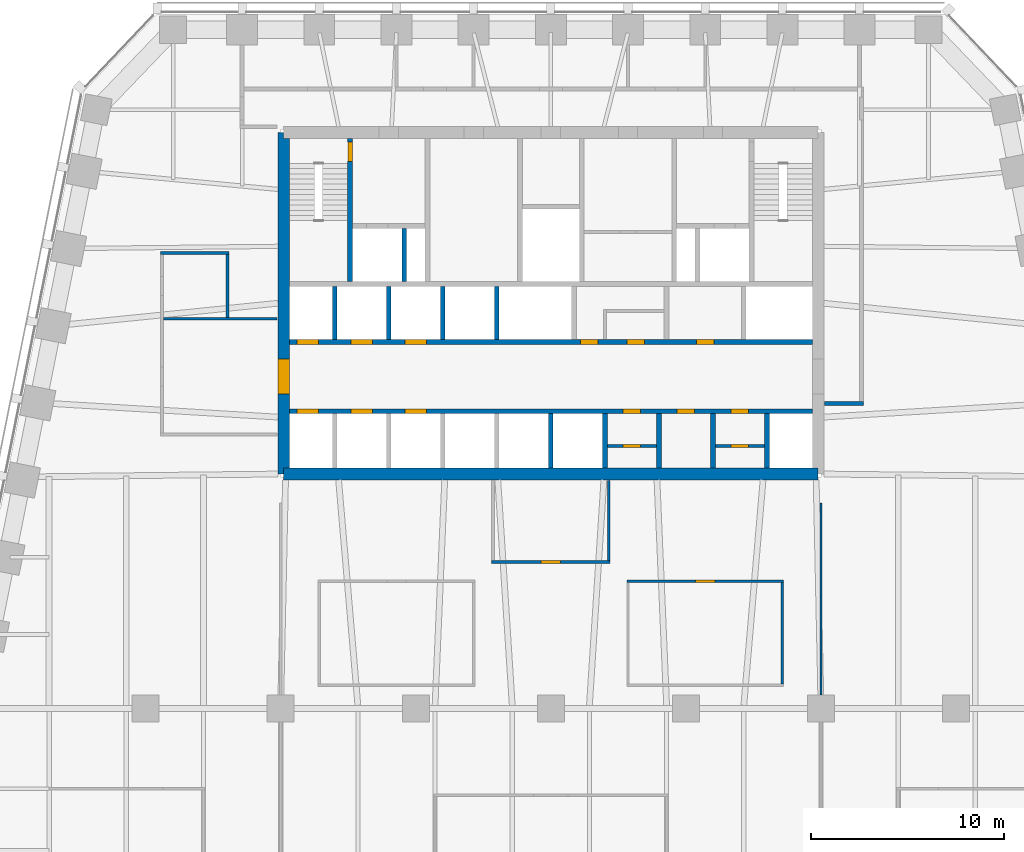
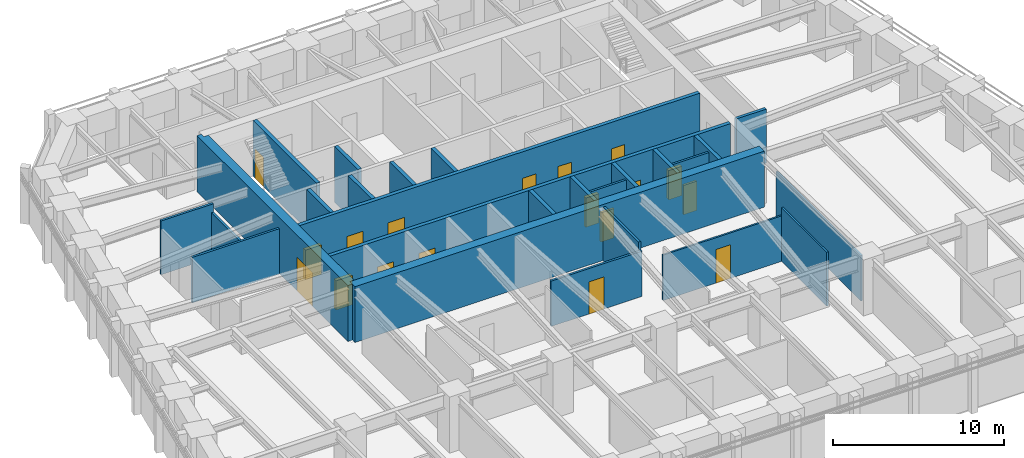
# One storey, part 6 of 10: 26 walls, 18 doors, 18 openings.
"""IFC4 building model written with IfcOpenShell, lengths in metres."""

from ifc_helpers import new_model, si_unit, direction, frame, frame_2d, origin, place, context, subcontext, project, spatial, polyline, rectangle, outline, extrude, material, layer, layer_set, type_object, element, fill, save


model = new_model("IFC4")

# Units and contexts
model_context = context("Model", 3, precision=1e-05, world=origin(), true_north=direction((0.0, 1.0)))
body_context = subcontext(model_context, "Body", "Model", "MODEL_VIEW")
ifc_project = project(units=[si_unit("LENGTHUNIT", "METRE"), si_unit("AREAUNIT", "SQUARE_METRE"), si_unit("VOLUMEUNIT", "CUBIC_METRE"), si_unit("PLANEANGLEUNIT", "RADIAN"), si_unit("MASSUNIT", "GRAM", prefix="KILO")], contexts=[model_context])

# Site, building, storey
site_placement = place(None, origin())
site = spatial("IfcSite", under=ifc_project, at=site_placement, CompositionType="ELEMENT")
building_placement = place(site_placement, origin())
building = spatial("IfcBuilding", under=site, at=building_placement, Name="Isbrekke Arena Tower", CompositionType="ELEMENT")
storey_placement = place(building_placement, frame((0.0, 0.0, 234.0)))
storey = spatial("IfcBuildingStorey", under=building, at=storey_placement, Name="L54", CompositionType="ELEMENT", Elevation=234.0)

# Wall
ifc_material_1 = material(Name="Concrete B55 (C55/67)", Category="concrete")
ifc_layer_1 = layer(ifc_material_1, 0.60009765625)
ifc_layer_set_1 = layer_set([ifc_layer_1], Name="CW4 CORE WALL 600")
wall_type_1 = type_object("IfcWallType", Name="CW4 CORE WALL 600", PredefinedType="SHEAR", material=ifc_layer_set_1)
wall_1_placement = place(storey_placement, frame((-13.85009765625, 6.14990234375, 0.0), z_axis=(0.0, 0.0, 1.0), x_axis=(1.0, 0.0, 0.0)))
element("IfcWall", 1, at=wall_1_placement, inside=storey, type_object=wall_type_1, Name="Core wall S L54", PredefinedType="SHEAR", context=body_context, shape_type="SweptSolid", body=[
    extrude(rectangle(XDim=27.7001953125, YDim=0.60009765625, at=frame_2d((13.85009765625, 0.0))), origin(), (0.0, 0.0, 1.0), 4.0),
])

# Wall, opening, door
wall_2_placement = place(storey_placement, frame((-13.85009765625, 23.85009765625, 0.0), z_axis=(0.0, 0.0, 1.0), x_axis=(0.0, -1.0, 0.0)))
wall_2 = element("IfcWall", 2, at=wall_2_placement, inside=storey, type_object=wall_type_1, Name="Core wall W L54", PredefinedType="SHEAR", context=body_context, shape_type="SweptSolid", body=[
    extrude(outline(polyline([(0.0, -0.300048828125), (17.7001953125, -0.300048828125), (17.7001953125, 0.0), (17.400146484375, 0.0), (17.400146484375, 0.300048828125), (0.300048828125, 0.300048828125), (0.300048828125, 0.0), (0.0, 0.0), (0.0, -0.300048828125)])), origin(), (0.0, 0.0, 1.0), 4.0),
])
opening_1_placement = place(wall_2_placement, frame((11.75, 0.0, 0.0)))
opening_1 = element("IfcOpeningElement", 3, at=opening_1_placement, cuts=wall_2, Name="Opening D1", PredefinedType="OPENING", context=body_context, shape_type="SweptSolid", body=[
    extrude(rectangle(XDim=1.800048828125, YDim=2.39990234375, at=frame_2d((0.89990234375, 1.199951171875))), frame((0.0, 0.31494140625, 0.0), z_axis=(0.0, -1.0, 0.0), x_axis=(1.0, 0.0, 0.0)), (0.0, 0.0, 1.0), 0.6298828125),
])
ifc_material_2 = material(Name="Steel-framed glazed fire door", Category="steel")
door_type_1 = type_object("IfcDoorType", Name="D1 CORE LOBBY DOOR 1800 x 2400", OperationType="DOUBLE_DOOR_SINGLE_SWING", PredefinedType="DOOR", material=ifc_material_2)
door_1_placement = place(opening_1_placement, origin())
door_1 = element("IfcDoor", 4, at=door_1_placement, inside=storey, type_object=door_type_1, Name="D1 lift lobby door west L54", OperationType="DOUBLE_DOOR_SINGLE_SWING", OverallHeight=2.39990234375, OverallWidth=1.800048828125, PredefinedType="DOOR", context=body_context, shape_type="SweptSolid", body=[
    extrude(rectangle(XDim=1.800048828125, YDim=2.39990234375, at=frame_2d((0.89990234375, 1.199951171875))), frame((0.0, 0.2998046875, 0.0), z_axis=(0.0, -1.0, 0.0), x_axis=(1.0, 0.0, 0.0)), (0.0, 0.0, 1.0), 0.599609375),
])
fill(opening_1, door_1)

# Wall, openings, doors
ifc_material_3 = material(Name="Concrete B45 (C45/55)", Category="concrete")
ifc_layer_2 = layer(ifc_material_3, 0.25)
ifc_layer_set_2 = layer_set([ifc_layer_2], Name="CW6 SHAFT WALL 250")
wall_type_2 = type_object("IfcWallType", Name="CW6 SHAFT WALL 250", PredefinedType="SHEAR", material=ifc_layer_set_2)
wall_3_placement = place(storey_placement, frame((-13.550048828125, 9.39990234375, 0.0), z_axis=(0.0, 0.0, 1.0), x_axis=(1.0, 0.0, 0.0)))
wall_3 = element("IfcWall", 5, at=wall_3_placement, inside=storey, type_object=wall_type_2, Name="Core wall LS L54", PredefinedType="SHEAR", context=body_context, shape_type="SweptSolid", body=[
    extrude(rectangle(XDim=27.10009765625, YDim=0.25, at=frame_2d((13.550048828125, 0.0))), origin(), (0.0, 0.0, 1.0), 4.0),
])
opening_2_placement = place(wall_3_placement, frame((0.39990234375, 0.0, 0.0)))
opening_2 = element("IfcOpeningElement", 6, at=opening_2_placement, cuts=wall_3, Name="Opening LD1", PredefinedType="OPENING", context=body_context, shape_type="SweptSolid", body=[
    extrude(rectangle(XDim=1.10009765625, YDim=2.10009765625, at=frame_2d((0.550048828125, 1.050048828125))), frame((0.0, 0.139892578125, 0.0), z_axis=(0.0, -1.0, 0.0), x_axis=(1.0, 0.0, 0.0)), (0.0, 0.0, 1.0), 0.27978515625),
])
opening_3_placement = place(wall_3_placement, frame((3.199951171875, 0.0, 0.0)))
opening_3 = element("IfcOpeningElement", 7, at=opening_3_placement, cuts=wall_3, Name="Opening LD1", PredefinedType="OPENING", context=body_context, shape_type="SweptSolid", body=[
    extrude(rectangle(XDim=1.10009765625, YDim=2.10009765625, at=frame_2d((0.550048828125, 1.050048828125))), frame((0.0, 0.139892578125, 0.0), z_axis=(0.0, -1.0, 0.0), x_axis=(1.0, 0.0, 0.0)), (0.0, 0.0, 1.0), 0.27978515625),
])
opening_4_placement = place(wall_3_placement, frame((6.0, 0.0, 0.0)))
opening_4 = element("IfcOpeningElement", 8, at=opening_4_placement, cuts=wall_3, Name="Opening LD1", PredefinedType="OPENING", context=body_context, shape_type="SweptSolid", body=[
    extrude(rectangle(XDim=1.10009765625, YDim=2.10009765625, at=frame_2d((0.550048828125, 1.050048828125))), frame((0.0, 0.139892578125, 0.0), z_axis=(0.0, -1.0, 0.0), x_axis=(1.0, 0.0, 0.0)), (0.0, 0.0, 1.0), 0.27978515625),
])
opening_5_placement = place(wall_3_placement, frame((17.300048828125, 0.0, 0.0)))
opening_5 = element("IfcOpeningElement", 9, at=opening_5_placement, cuts=wall_3, Name="Opening D5", PredefinedType="OPENING", context=body_context, shape_type="SweptSolid", body=[
    extrude(rectangle(XDim=0.89990234375, YDim=2.10009765625, at=frame_2d((0.449951171875, 1.050048828125))), frame((0.0, 0.139892578125, 0.0), z_axis=(0.0, -1.0, 0.0), x_axis=(1.0, 0.0, 0.0)), (0.0, 0.0, 1.0), 0.27978515625),
])
opening_6_placement = place(wall_3_placement, frame((20.10009765625, 0.0, 0.0)))
opening_6 = element("IfcOpeningElement", 10, at=opening_6_placement, cuts=wall_3, Name="Opening D5", PredefinedType="OPENING", context=body_context, shape_type="SweptSolid", body=[
    extrude(rectangle(XDim=0.89990234375, YDim=2.10009765625, at=frame_2d((0.449951171875, 1.050048828125))), frame((0.0, 0.139892578125, 0.0), z_axis=(0.0, -1.0, 0.0), x_axis=(1.0, 0.0, 0.0)), (0.0, 0.0, 1.0), 0.27978515625),
])
opening_7_placement = place(wall_3_placement, frame((22.89990234375, 0.0, 0.0)))
opening_7 = element("IfcOpeningElement", 11, at=opening_7_placement, cuts=wall_3, Name="Opening D5", PredefinedType="OPENING", context=body_context, shape_type="SweptSolid", body=[
    extrude(rectangle(XDim=0.89990234375, YDim=2.10009765625, at=frame_2d((0.449951171875, 1.050048828125))), frame((0.0, 0.139892578125, 0.0), z_axis=(0.0, -1.0, 0.0), x_axis=(1.0, 0.0, 0.0)), (0.0, 0.0, 1.0), 0.27978515625),
])
ifc_material_4 = material(Name="Steel fire door", Category="steel")
door_type_2 = type_object("IfcDoorType", Name="D5 SERVICE DOOR 900 x 2100", OperationType="SINGLE_SWING_LEFT", PredefinedType="DOOR", material=ifc_material_4)
door_2_placement = place(opening_5_placement, origin())
door_2 = element("IfcDoor", 12, at=door_2_placement, inside=storey, type_object=door_type_2, Name="D5 tea point door L54", OperationType="SINGLE_SWING_LEFT", OverallHeight=2.10009765625, OverallWidth=0.89990234375, PredefinedType="DOOR", context=body_context, shape_type="SweptSolid", body=[
    extrude(rectangle(XDim=0.89990234375, YDim=2.10009765625, at=frame_2d((0.449951171875, 1.050048828125))), frame((0.0, 0.124755859375, 0.0), z_axis=(0.0, -1.0, 0.0), x_axis=(1.0, 0.0, 0.0)), (0.0, 0.0, 1.0), 0.24951171875),
])
fill(opening_5, door_2)
door_3_placement = place(opening_6_placement, origin())
door_3 = element("IfcDoor", 13, at=door_3_placement, inside=storey, type_object=door_type_2, Name="D5 archive door L54", OperationType="SINGLE_SWING_LEFT", OverallHeight=2.10009765625, OverallWidth=0.89990234375, PredefinedType="DOOR", context=body_context, shape_type="SweptSolid", body=[
    extrude(rectangle(XDim=0.89990234375, YDim=2.10009765625, at=frame_2d((0.449951171875, 1.050048828125))), frame((0.0, 0.124755859375, 0.0), z_axis=(0.0, -1.0, 0.0), x_axis=(1.0, 0.0, 0.0)), (0.0, 0.0, 1.0), 0.24951171875),
])
fill(opening_6, door_3)
door_4_placement = place(opening_7_placement, origin())
door_4 = element("IfcDoor", 14, at=door_4_placement, inside=storey, type_object=door_type_2, Name="D5 mothers' room door L54", OperationType="SINGLE_SWING_LEFT", OverallHeight=2.10009765625, OverallWidth=0.89990234375, PredefinedType="DOOR", context=body_context, shape_type="SweptSolid", body=[
    extrude(rectangle(XDim=0.89990234375, YDim=2.10009765625, at=frame_2d((0.449951171875, 1.050048828125))), frame((0.0, 0.124755859375, 0.0), z_axis=(0.0, -1.0, 0.0), x_axis=(1.0, 0.0, 0.0)), (0.0, 0.0, 1.0), 0.24951171875),
])
fill(opening_7, door_4)
ifc_material_5 = material(Name="Stainless steel lift landing door", Category="steel")
door_type_3 = type_object("IfcDoorType", Name="LD1 LIFT LANDING DOOR 1100 x 2100", OperationType="SLIDING_TO_LEFT", PredefinedType="DOOR", material=ifc_material_5)
door_5_placement = place(opening_2_placement, origin())
door_5 = element("IfcDoor", 15, at=door_5_placement, inside=storey, type_object=door_type_3, Name="LD1 lift landing door LC L54", OperationType="SLIDING_TO_LEFT", OverallHeight=2.10009765625, OverallWidth=1.10009765625, PredefinedType="DOOR", context=body_context, shape_type="SweptSolid", body=[
    extrude(rectangle(XDim=1.10009765625, YDim=2.10009765625, at=frame_2d((0.550048828125, 1.050048828125))), frame((0.0, 0.124755859375, 0.0), z_axis=(0.0, -1.0, 0.0), x_axis=(1.0, 0.0, 0.0)), (0.0, 0.0, 1.0), 0.24951171875),
])
fill(opening_2, door_5)
door_6_placement = place(opening_3_placement, origin())
door_6 = element("IfcDoor", 16, at=door_6_placement, inside=storey, type_object=door_type_3, Name="LD1 lift landing door LC L54", OperationType="SLIDING_TO_LEFT", OverallHeight=2.10009765625, OverallWidth=1.10009765625, PredefinedType="DOOR", context=body_context, shape_type="SweptSolid", body=[
    extrude(rectangle(XDim=1.10009765625, YDim=2.10009765625, at=frame_2d((0.550048828125, 1.050048828125))), frame((0.0, 0.124755859375, 0.0), z_axis=(0.0, -1.0, 0.0), x_axis=(1.0, 0.0, 0.0)), (0.0, 0.0, 1.0), 0.24951171875),
])
fill(opening_3, door_6)
door_7_placement = place(opening_4_placement, origin())
door_7 = element("IfcDoor", 17, at=door_7_placement, inside=storey, type_object=door_type_3, Name="LD1 lift landing door LC L54", OperationType="SLIDING_TO_LEFT", OverallHeight=2.10009765625, OverallWidth=1.10009765625, PredefinedType="DOOR", context=body_context, shape_type="SweptSolid", body=[
    extrude(rectangle(XDim=1.10009765625, YDim=2.10009765625, at=frame_2d((0.550048828125, 1.050048828125))), frame((0.0, 0.124755859375, 0.0), z_axis=(0.0, -1.0, 0.0), x_axis=(1.0, 0.0, 0.0)), (0.0, 0.0, 1.0), 0.24951171875),
])
fill(opening_4, door_7)

wall_4_placement = place(storey_placement, frame((-13.550048828125, 13.0, 0.0), z_axis=(0.0, 0.0, 1.0), x_axis=(1.0, 0.0, 0.0)))
wall_4 = element("IfcWall", 18, at=wall_4_placement, inside=storey, type_object=wall_type_2, Name="Core wall LN L54", PredefinedType="SHEAR", context=body_context, shape_type="SweptSolid", body=[
    extrude(rectangle(XDim=27.10009765625, YDim=0.25, at=frame_2d((13.550048828125, 0.0))), origin(), (0.0, 0.0, 1.0), 4.0),
])
opening_8_placement = place(wall_4_placement, frame((0.39990234375, 0.0, 0.0)))
opening_8 = element("IfcOpeningElement", 19, at=opening_8_placement, cuts=wall_4, Name="Opening LD1", PredefinedType="OPENING", context=body_context, shape_type="SweptSolid", body=[
    extrude(rectangle(XDim=1.10009765625, YDim=2.10009765625, at=frame_2d((0.550048828125, 1.050048828125))), frame((0.0, 0.139892578125, 0.0), z_axis=(0.0, -1.0, 0.0), x_axis=(1.0, 0.0, 0.0)), (0.0, 0.0, 1.0), 0.27978515625),
])
opening_9_placement = place(wall_4_placement, frame((3.199951171875, 0.0, 0.0)))
opening_9 = element("IfcOpeningElement", 20, at=opening_9_placement, cuts=wall_4, Name="Opening LD1", PredefinedType="OPENING", context=body_context, shape_type="SweptSolid", body=[
    extrude(rectangle(XDim=1.10009765625, YDim=2.10009765625, at=frame_2d((0.550048828125, 1.050048828125))), frame((0.0, 0.139892578125, 0.0), z_axis=(0.0, -1.0, 0.0), x_axis=(1.0, 0.0, 0.0)), (0.0, 0.0, 1.0), 0.27978515625),
])
opening_10_placement = place(wall_4_placement, frame((6.0, 0.0, 0.0)))
opening_10 = element("IfcOpeningElement", 21, at=opening_10_placement, cuts=wall_4, Name="Opening LD1", PredefinedType="OPENING", context=body_context, shape_type="SweptSolid", body=[
    extrude(rectangle(XDim=1.10009765625, YDim=2.10009765625, at=frame_2d((0.550048828125, 1.050048828125))), frame((0.0, 0.139892578125, 0.0), z_axis=(0.0, -1.0, 0.0), x_axis=(1.0, 0.0, 0.0)), (0.0, 0.0, 1.0), 0.27978515625),
])
opening_11_placement = place(wall_4_placement, frame((15.10009765625, 0.0, 0.0)))
opening_11 = element("IfcOpeningElement", 22, at=opening_11_placement, cuts=wall_4, Name="Opening D5", PredefinedType="OPENING", context=body_context, shape_type="SweptSolid", body=[
    extrude(rectangle(XDim=0.89990234375, YDim=2.10009765625, at=frame_2d((0.449951171875, 1.050048828125))), frame((0.0, 0.139892578125, 0.0), z_axis=(0.0, -1.0, 0.0), x_axis=(1.0, 0.0, 0.0)), (0.0, 0.0, 1.0), 0.27978515625),
])
opening_12_placement = place(wall_4_placement, frame((17.5, 0.0, 0.0)))
opening_12 = element("IfcOpeningElement", 23, at=opening_12_placement, cuts=wall_4, Name="Opening D5", PredefinedType="OPENING", context=body_context, shape_type="SweptSolid", body=[
    extrude(rectangle(XDim=0.89990234375, YDim=2.10009765625, at=frame_2d((0.449951171875, 1.050048828125))), frame((0.0, 0.139892578125, 0.0), z_axis=(0.0, -1.0, 0.0), x_axis=(1.0, 0.0, 0.0)), (0.0, 0.0, 1.0), 0.27978515625),
])
opening_13_placement = place(wall_4_placement, frame((21.10009765625, 0.0, 0.0)))
opening_13 = element("IfcOpeningElement", 24, at=opening_13_placement, cuts=wall_4, Name="Opening D5", PredefinedType="OPENING", context=body_context, shape_type="SweptSolid", body=[
    extrude(rectangle(XDim=0.89990234375, YDim=2.10009765625, at=frame_2d((0.449951171875, 1.050048828125))), frame((0.0, 0.139892578125, 0.0), z_axis=(0.0, -1.0, 0.0), x_axis=(1.0, 0.0, 0.0)), (0.0, 0.0, 1.0), 0.27978515625),
])
door_8_placement = place(opening_11_placement, origin())
door_8 = element("IfcDoor", 25, at=door_8_placement, inside=storey, type_object=door_type_2, Name="D5 communications room door L54", OperationType="SINGLE_SWING_LEFT", OverallHeight=2.10009765625, OverallWidth=0.89990234375, PredefinedType="DOOR", context=body_context, shape_type="SweptSolid", body=[
    extrude(rectangle(XDim=0.89990234375, YDim=2.10009765625, at=frame_2d((0.449951171875, 1.050048828125))), frame((0.0, 0.124755859375, 0.0), z_axis=(0.0, -1.0, 0.0), x_axis=(1.0, 0.0, 0.0)), (0.0, 0.0, 1.0), 0.24951171875),
])
fill(opening_11, door_8)
door_9_placement = place(opening_12_placement, origin())
door_9 = element("IfcDoor", 26, at=door_9_placement, inside=storey, type_object=door_type_2, Name="D5 cleaner's store door L54", OperationType="SINGLE_SWING_LEFT", OverallHeight=2.10009765625, OverallWidth=0.89990234375, PredefinedType="DOOR", context=body_context, shape_type="SweptSolid", body=[
    extrude(rectangle(XDim=0.89990234375, YDim=2.10009765625, at=frame_2d((0.449951171875, 1.050048828125))), frame((0.0, 0.124755859375, 0.0), z_axis=(0.0, -1.0, 0.0), x_axis=(1.0, 0.0, 0.0)), (0.0, 0.0, 1.0), 0.24951171875),
])
fill(opening_12, door_9)
door_10_placement = place(opening_13_placement, origin())
door_10 = element("IfcDoor", 27, at=door_10_placement, inside=storey, type_object=door_type_2, Name="D5 quiet room door L54", OperationType="SINGLE_SWING_LEFT", OverallHeight=2.10009765625, OverallWidth=0.89990234375, PredefinedType="DOOR", context=body_context, shape_type="SweptSolid", body=[
    extrude(rectangle(XDim=0.89990234375, YDim=2.10009765625, at=frame_2d((0.449951171875, 1.050048828125))), frame((0.0, 0.124755859375, 0.0), z_axis=(0.0, -1.0, 0.0), x_axis=(1.0, 0.0, 0.0)), (0.0, 0.0, 1.0), 0.24951171875),
])
fill(opening_13, door_10)
door_11_placement = place(opening_8_placement, origin())
door_11 = element("IfcDoor", 28, at=door_11_placement, inside=storey, type_object=door_type_3, Name="LD1 lift landing door LC L54", OperationType="SLIDING_TO_LEFT", OverallHeight=2.10009765625, OverallWidth=1.10009765625, PredefinedType="DOOR", context=body_context, shape_type="SweptSolid", body=[
    extrude(rectangle(XDim=1.10009765625, YDim=2.10009765625, at=frame_2d((0.550048828125, 1.050048828125))), frame((0.0, 0.124755859375, 0.0), z_axis=(0.0, -1.0, 0.0), x_axis=(1.0, 0.0, 0.0)), (0.0, 0.0, 1.0), 0.24951171875),
])
fill(opening_8, door_11)
door_12_placement = place(opening_9_placement, origin())
door_12 = element("IfcDoor", 29, at=door_12_placement, inside=storey, type_object=door_type_3, Name="LD1 lift landing door LC L54", OperationType="SLIDING_TO_LEFT", OverallHeight=2.10009765625, OverallWidth=1.10009765625, PredefinedType="DOOR", context=body_context, shape_type="SweptSolid", body=[
    extrude(rectangle(XDim=1.10009765625, YDim=2.10009765625, at=frame_2d((0.550048828125, 1.050048828125))), frame((0.0, 0.124755859375, 0.0), z_axis=(0.0, -1.0, 0.0), x_axis=(1.0, 0.0, 0.0)), (0.0, 0.0, 1.0), 0.24951171875),
])
fill(opening_9, door_12)
door_13_placement = place(opening_10_placement, origin())
door_13 = element("IfcDoor", 30, at=door_13_placement, inside=storey, type_object=door_type_3, Name="LD1 lift landing door LC L54", OperationType="SLIDING_TO_LEFT", OverallHeight=2.10009765625, OverallWidth=1.10009765625, PredefinedType="DOOR", context=body_context, shape_type="SweptSolid", body=[
    extrude(rectangle(XDim=1.10009765625, YDim=2.10009765625, at=frame_2d((0.550048828125, 1.050048828125))), frame((0.0, 0.124755859375, 0.0), z_axis=(0.0, -1.0, 0.0), x_axis=(1.0, 0.0, 0.0)), (0.0, 0.0, 1.0), 0.24951171875),
])
fill(opening_10, door_13)

# Walls
for number, where, z_axis, x_axis, name in (
    (31, (0.0, 6.449951171875, 0.0), (0.0, 0.0, 1.0), (0.0, 1.0, 0.0), "Core wall SS05 L54"),
    (32, (2.800048828125, 6.449951171875, 0.0), (0.0, 0.0, 1.0), (0.0, 1.0, 0.0), "Core wall SS06 L54"),
    (33, (5.60009765625, 6.449951171875, 0.0), (0.0, 0.0, 1.0), (0.0, 1.0, 0.0), "Core wall SS07 L54"),
    (34, (8.39990234375, 6.449951171875, 0.0), (0.0, 0.0, 1.0), (0.0, 1.0, 0.0), "Core wall SS08 L54"),
    (35, (11.199951171875, 6.449951171875, 0.0), (0.0, 0.0, 1.0), (0.0, 1.0, 0.0), "Core wall SS09 L54"),
):
    element("IfcWall", number, at=place(storey_placement, frame(where, z_axis=z_axis, x_axis=x_axis)), inside=storey, type_object=wall_type_2, Name=name, PredefinedType="SHEAR", context=body_context, shape_type="SweptSolid", body=[
        extrude(rectangle(XDim=2.824951171875, YDim=0.25, at=frame_2d((1.41259765625, 0.0))), origin(), (0.0, 0.0, 1.0), 4.0),
    ])
for number, where, z_axis, x_axis, name in (
    (36, (-11.199951171875, 13.125, 0.0), (0.0, 0.0, 1.0), (0.0, 1.0, 0.0), "Core wall SN01 L54"),
    (37, (-8.39990234375, 13.125, 0.0), (0.0, 0.0, 1.0), (0.0, 1.0, 0.0), "Core wall SN02 L54"),
    (38, (-5.60009765625, 13.125, 0.0), (0.0, 0.0, 1.0), (0.0, 1.0, 0.0), "Core wall SN03 L54"),
    (39, (-2.800048828125, 13.125, 0.0), (0.0, 0.0, 1.0), (0.0, 1.0, 0.0), "Core wall SN04 L54"),
):
    element("IfcWall", number, at=place(storey_placement, frame(where, z_axis=z_axis, x_axis=x_axis)), inside=storey, type_object=wall_type_2, Name=name, PredefinedType="SHEAR", context=body_context, shape_type="SweptSolid", body=[
        extrude(rectangle(XDim=2.75, YDim=0.25, at=frame_2d((1.375, 0.0))), origin(), (0.0, 0.0, 1.0), 4.0),
    ])

# Wall, opening, door
wall_5_placement = place(storey_placement, frame((-10.39990234375, 16.125, 0.0), z_axis=(0.0, 0.0, 1.0), x_axis=(0.0, 1.0, 0.0)))
wall_5 = element("IfcWall", 40, at=wall_5_placement, inside=storey, type_object=wall_type_2, Name="Core wall NV01 L54", PredefinedType="SHEAR", context=body_context, shape_type="SweptSolid", body=[
    extrude(rectangle(XDim=7.425048828125, YDim=0.25, at=frame_2d((3.71240234375, 0.0))), origin(), (0.0, 0.0, 1.0), 4.0),
])
opening_14_placement = place(wall_5_placement, frame((6.22509765625, 0.0, 0.0)))
opening_14 = element("IfcOpeningElement", 41, at=opening_14_placement, cuts=wall_5, Name="Opening D2", PredefinedType="OPENING", context=body_context, shape_type="SweptSolid", body=[
    extrude(rectangle(XDim=1.0, YDim=2.10009765625, at=frame_2d((0.5, 1.050048828125))), frame((0.0, 0.139892578125, 0.0), z_axis=(0.0, -1.0, 0.0), x_axis=(1.0, 0.0, 0.0)), (0.0, 0.0, 1.0), 0.27978515625),
])
ifc_material_6 = material(Name="Steel fire door", Category="steel")
door_type_4 = type_object("IfcDoorType", Name="D2 STAIR DOOR 1000 x 2100", OperationType="SINGLE_SWING_LEFT", PredefinedType="DOOR", material=ifc_material_6)
door_14_placement = place(opening_14_placement, origin())
door_14 = element("IfcDoor", 42, at=door_14_placement, inside=storey, type_object=door_type_4, Name="D2 stair door ST1 L54", OperationType="SINGLE_SWING_LEFT", OverallHeight=2.10009765625, OverallWidth=1.0, PredefinedType="DOOR", context=body_context, shape_type="SweptSolid", body=[
    extrude(rectangle(XDim=1.0, YDim=2.10009765625, at=frame_2d((0.5, 1.050048828125))), frame((0.0, 0.124755859375, 0.0), z_axis=(0.0, -1.0, 0.0), x_axis=(1.0, 0.0, 0.0)), (0.0, 0.0, 1.0), 0.24951171875),
])
fill(opening_14, door_14)

# Wall
wall_6_placement = place(storey_placement, frame((-7.60009765625, 16.125, 0.0), z_axis=(0.0, 0.0, 1.0), x_axis=(0.0, 1.0, 0.0)))
element("IfcWall", 43, at=wall_6_placement, inside=storey, type_object=wall_type_2, Name="Core wall NFS1 L54", PredefinedType="SHEAR", context=body_context, shape_type="SweptSolid", body=[
    extrude(rectangle(XDim=2.75, YDim=0.25, at=frame_2d((1.375, 0.0))), origin(), (0.0, 0.0, 1.0), 4.0),
])

# Wall, opening, door
ifc_material_7 = material(Name="Gypsum board partition on steel studs", Category="steel")
ifc_layer_3 = layer(ifc_material_7, 0.14990234375)
ifc_layer_set_3 = layer_set([ifc_layer_3], Name="IW1 PARTITION 150")
wall_type_3 = type_object("IfcWallType", Name="IW1 PARTITION 150", PredefinedType="PARTITIONING", material=ifc_layer_set_3)
wall_7_placement = place(storey_placement, frame((-3.074951171875, 1.60009765625, 0.0), z_axis=(0.0, 0.0, 1.0), x_axis=(1.0, 0.0, 0.0)))
wall_7 = element("IfcWall", 44, at=wall_7_placement, inside=storey, type_object=wall_type_3, Name="IW1 partition 150 L54", PredefinedType="PARTITIONING", context=body_context, shape_type="SweptSolid", body=[
    extrude(rectangle(XDim=6.14990234375, YDim=0.14990234375, at=frame_2d((3.074951171875, 0.0))), origin(), (0.0, 0.0, 1.0), 3.25),
])
opening_15_placement = place(wall_7_placement, frame((2.574951171875, 0.0, 0.0)))
opening_15 = element("IfcOpeningElement", 45, at=opening_15_placement, cuts=wall_7, Name="Opening D10", PredefinedType="OPENING", context=body_context, shape_type="SweptSolid", body=[
    extrude(rectangle(XDim=1.0, YDim=2.300048828125, at=frame_2d((0.5, 1.14990234375))), frame((0.0, 0.08984375, 0.0), z_axis=(0.0, -1.0, 0.0), x_axis=(1.0, 0.0, 0.0)), (0.0, 0.0, 1.0), 0.1796875),
])
ifc_material_8 = material(Name="Timber door", Category="wood")
door_type_5 = type_object("IfcDoorType", Name="D10 OFFICE DOOR 1000 x 2300", OperationType="SINGLE_SWING_LEFT", PredefinedType="DOOR", material=ifc_material_8)
door_15_placement = place(opening_15_placement, origin())
door_15 = element("IfcDoor", 46, at=door_15_placement, inside=storey, type_object=door_type_5, Name="D10 pantry door L54", OperationType="SINGLE_SWING_LEFT", OverallHeight=2.300048828125, OverallWidth=1.0, PredefinedType="DOOR", context=body_context, shape_type="SweptSolid", body=[
    extrude(rectangle(XDim=1.0, YDim=2.300048828125, at=frame_2d((0.5, 1.14990234375))), frame((0.0, 0.07470703125, 0.0), z_axis=(0.0, -1.0, 0.0), x_axis=(1.0, 0.0, 0.0)), (0.0, 0.0, 1.0), 0.1494140625),
])
fill(opening_15, door_15)

# Walls
wall_8_placement = place(storey_placement, frame((-20.074951171875, 14.199951171875, 0.0), z_axis=(0.0, 0.0, 1.0), x_axis=(1.0, 0.0, 0.0)))
element("IfcWall", 47, at=wall_8_placement, inside=storey, type_object=wall_type_3, Name="IW1 partition 150 L54", PredefinedType="PARTITIONING", context=body_context, shape_type="SweptSolid", body=[
    extrude(rectangle(XDim=5.89501953125, YDim=0.14990234375, at=frame_2d((2.947509765625, 0.0))), origin(), (0.0, 0.0, 1.0), 3.25),
])
wall_9_placement = place(storey_placement, frame((-20.22509765625, 17.60009765625, 0.0), z_axis=(0.0, 0.0, 1.0), x_axis=(1.0, 0.0, 0.0)))
element("IfcWall", 48, at=wall_9_placement, inside=storey, type_object=wall_type_3, Name="IW1 partition 150 L54", PredefinedType="PARTITIONING", context=body_context, shape_type="SweptSolid", body=[
    extrude(rectangle(XDim=3.550048828125, YDim=0.14990234375, at=frame_2d((1.77490234375, 0.0))), origin(), (0.0, 0.0, 1.0), 3.85009765625),
])
wall_10_placement = place(storey_placement, frame((-16.75, 14.27490234375, 0.0), z_axis=(0.0, 0.0, 1.0), x_axis=(0.0, 1.0, 0.0)))
element("IfcWall", 49, at=wall_10_placement, inside=storey, type_object=wall_type_3, Name="IW1 partition 150 L54", PredefinedType="PARTITIONING", context=body_context, shape_type="SweptSolid", body=[
    extrude(rectangle(XDim=3.25, YDim=0.14990234375, at=frame_2d((1.625, 0.0))), origin(), (0.0, 0.0, 1.0), 3.25),
])
wall_11_placement = place(storey_placement, frame((3.0, 1.675048828125, 0.0), z_axis=(0.0, 0.0, 1.0), x_axis=(0.0, 1.0, 0.0)))
element("IfcWall", 50, at=wall_11_placement, inside=storey, type_object=wall_type_3, Name="IW1 partition 150 L54", PredefinedType="PARTITIONING", context=body_context, shape_type="SweptSolid", body=[
    extrude(rectangle(XDim=4.14501953125, YDim=0.14990234375, at=frame_2d((2.072509765625, 0.0))), origin(), (0.0, 0.0, 1.0), 3.85009765625),
])

# Wall, opening, door
ifc_material_9 = material(Name="Frameless glazed partition, laminated acoustic glass", Category="glass")
ifc_layer_4 = layer(ifc_material_9, 0.1201171875)
ifc_layer_set_4 = layer_set([ifc_layer_4], Name="IW2 GLAZED PARTITION 120")
wall_type_4 = type_object("IfcWallType", Name="IW2 GLAZED PARTITION 120", PredefinedType="PARTITIONING", material=ifc_layer_set_4)
wall_12_placement = place(storey_placement, frame((3.93994140625, 0.60009765625, 0.0), z_axis=(0.0, 0.0, 1.0), x_axis=(1.0, 0.0, 0.0)))
wall_12 = element("IfcWall", 51, at=wall_12_placement, inside=storey, type_object=wall_type_4, Name="IW2 glazed partition 120 L54", PredefinedType="PARTITIONING", context=body_context, shape_type="SweptSolid", body=[
    extrude(rectangle(XDim=8.1201171875, YDim=0.1201171875, at=frame_2d((4.06005859375, 0.0))), origin(), (0.0, 0.0, 1.0), 3.25),
])
opening_16_placement = place(wall_12_placement, frame((3.56005859375, 0.0, 0.0)))
opening_16 = element("IfcOpeningElement", 52, at=opening_16_placement, cuts=wall_12, Name="Opening D11", PredefinedType="OPENING", context=body_context, shape_type="SweptSolid", body=[
    extrude(rectangle(XDim=1.0, YDim=2.39990234375, at=frame_2d((0.5, 1.199951171875))), frame((0.0, 0.074951171875, 0.0), z_axis=(0.0, -1.0, 0.0), x_axis=(1.0, 0.0, 0.0)), (0.0, 0.0, 1.0), 0.14990234375),
])
ifc_material_10 = material(Name="Frameless glazed door", Category="glass")
door_type_6 = type_object("IfcDoorType", Name="D11 GLAZED MEETING ROOM DOOR 1000 x 2400", OperationType="SINGLE_SWING_RIGHT", PredefinedType="DOOR", material=ifc_material_10)
door_16_placement = place(opening_16_placement, origin())
door_16 = element("IfcDoor", 53, at=door_16_placement, inside=storey, type_object=door_type_6, Name="D11 meeting room door L54", OperationType="SINGLE_SWING_RIGHT", OverallHeight=2.39990234375, OverallWidth=1.0, PredefinedType="DOOR", context=body_context, shape_type="SweptSolid", body=[
    extrude(rectangle(XDim=1.0, YDim=2.39990234375, at=frame_2d((0.5, 1.199951171875))), frame((0.0, 0.059814453125, 0.0), z_axis=(0.0, -1.0, 0.0), x_axis=(1.0, 0.0, 0.0)), (0.0, 0.0, 1.0), 0.11962890625),
])
fill(opening_16, door_16)

# Walls
wall_13_placement = place(storey_placement, frame((12.0, -4.739990234375, 0.0), z_axis=(0.0, 0.0, 1.0), x_axis=(0.0, 1.0, 0.0)))
element("IfcWall", 54, at=wall_13_placement, inside=storey, type_object=wall_type_4, Name="IW2 glazed partition 120 L54", PredefinedType="PARTITIONING", context=body_context, shape_type="SweptSolid", body=[
    extrude(rectangle(XDim=5.280029296875, YDim=0.1201171875, at=frame_2d((2.64013671875, 0.0))), origin(), (0.0, 0.0, 1.0), 3.85009765625),
])
wall_14_placement = place(storey_placement, frame((14.0009765625, -5.300048828125, 0.0), z_axis=(0.0, 0.0, 1.0), x_axis=(0.0, 1.0, 0.0)))
element("IfcWall", 55, at=wall_14_placement, inside=storey, type_object=wall_type_4, Name="IW2 glazed partition 120 L54", PredefinedType="PARTITIONING", context=body_context, shape_type="SweptSolid", body=[
    extrude(rectangle(XDim=9.949951171875, YDim=0.1201171875, at=frame_2d((4.97509765625, 0.0))), origin(), (0.0, 0.0, 1.0), 3.25),
])
ifc_material_11 = material(Name="Gypsum board fire-cell wall on steel studs, two layers each side", Category="steel")
ifc_layer_5 = layer(ifc_material_11, 0.199951171875)
ifc_layer_set_5 = layer_set([ifc_layer_5], Name="IW3 FIRE-CELL WALL 200")
wall_type_5 = type_object("IfcWallType", Name="IW3 FIRE-CELL WALL 200", PredefinedType="PARTITIONING", material=ifc_layer_set_5)
wall_15_placement = place(storey_placement, frame((14.179931640625, 9.800048828125, 0.0), z_axis=(0.0, 0.0, 1.0), x_axis=(1.0, 0.0, 0.0)))
element("IfcWall", 56, at=wall_15_placement, inside=storey, type_object=wall_type_5, Name="IW3 fire-cell wall 200 L54", PredefinedType="PARTITIONING", context=body_context, shape_type="SweptSolid", body=[
    extrude(rectangle(XDim=2.02001953125, YDim=0.199951171875, at=frame_2d((1.010009765625, 0.0))), origin(), (0.0, 0.0, 1.0), 3.85009765625),
])

# Wall, opening, door
ifc_material_12 = material(Name="Gypsum board fire-rated partition on steel studs, two layers each side", Category="steel")
ifc_layer_6 = layer(ifc_material_12, 0.14990234375)
ifc_layer_set_6 = layer_set([ifc_layer_6], Name="IW5 FIRE-RATED PARTITION 150")
wall_type_6 = type_object("IfcWallType", Name="IW5 FIRE-RATED PARTITION 150", PredefinedType="PARTITIONING", material=ifc_layer_set_6)
wall_16_placement = place(storey_placement, frame((2.925048828125, 7.60009765625, 0.0), z_axis=(0.0, 0.0, 1.0), x_axis=(1.0, 0.0, 0.0)))
wall_16 = element("IfcWall", 57, at=wall_16_placement, inside=storey, type_object=wall_type_6, Name="IW5 fire-rated partition L54 core service rooms 3", PredefinedType="PARTITIONING", context=body_context, shape_type="SweptSolid", body=[
    extrude(rectangle(XDim=2.550048828125, YDim=0.14990234375, at=frame_2d((1.27490234375, 0.0))), origin(), (0.0, 0.0, 1.0), 3.85009765625),
])
opening_17_placement = place(wall_16_placement, frame((0.824951171875, 0.0, 0.0)))
opening_17 = element("IfcOpeningElement", 58, at=opening_17_placement, cuts=wall_16, Name="Opening D5", PredefinedType="OPENING", context=body_context, shape_type="SweptSolid", body=[
    extrude(rectangle(XDim=0.89990234375, YDim=2.10009765625, at=frame_2d((0.449951171875, 1.050048828125))), frame((0.0, 0.08984375, 0.0), z_axis=(0.0, -1.0, 0.0), x_axis=(1.0, 0.0, 0.0)), (0.0, 0.0, 1.0), 0.1796875),
])
door_17_placement = place(opening_17_placement, origin())
door_17 = element("IfcDoor", 59, at=door_17_placement, inside=storey, type_object=door_type_2, Name="D5 tenant store door L54", OperationType="SINGLE_SWING_LEFT", OverallHeight=2.10009765625, OverallWidth=0.89990234375, PredefinedType="DOOR", context=body_context, shape_type="SweptSolid", body=[
    extrude(rectangle(XDim=0.89990234375, YDim=2.10009765625, at=frame_2d((0.449951171875, 1.050048828125))), frame((0.0, 0.07470703125, 0.0), z_axis=(0.0, -1.0, 0.0), x_axis=(1.0, 0.0, 0.0)), (0.0, 0.0, 1.0), 0.1494140625),
])
fill(opening_17, door_17)

wall_17_placement = place(storey_placement, frame((8.52490234375, 7.60009765625, 0.0), z_axis=(0.0, 0.0, 1.0), x_axis=(1.0, 0.0, 0.0)))
wall_17 = element("IfcWall", 60, at=wall_17_placement, inside=storey, type_object=wall_type_6, Name="IW5 fire-rated partition L54 core service rooms 4", PredefinedType="PARTITIONING", context=body_context, shape_type="SweptSolid", body=[
    extrude(rectangle(XDim=2.550048828125, YDim=0.14990234375, at=frame_2d((1.27490234375, 0.0))), origin(), (0.0, 0.0, 1.0), 3.85009765625),
])
opening_18_placement = place(wall_17_placement, frame((0.824951171875, 0.0, 0.0)))
opening_18 = element("IfcOpeningElement", 61, at=opening_18_placement, cuts=wall_17, Name="Opening D5", PredefinedType="OPENING", context=body_context, shape_type="SweptSolid", body=[
    extrude(rectangle(XDim=0.89990234375, YDim=2.10009765625, at=frame_2d((0.449951171875, 1.050048828125))), frame((0.0, 0.08984375, 0.0), z_axis=(0.0, -1.0, 0.0), x_axis=(1.0, 0.0, 0.0)), (0.0, 0.0, 1.0), 0.1796875),
])
door_18_placement = place(opening_18_placement, origin())
door_18 = element("IfcDoor", 62, at=door_18_placement, inside=storey, type_object=door_type_2, Name="D5 store door L54", OperationType="SINGLE_SWING_LEFT", OverallHeight=2.10009765625, OverallWidth=0.89990234375, PredefinedType="DOOR", context=body_context, shape_type="SweptSolid", body=[
    extrude(rectangle(XDim=0.89990234375, YDim=2.10009765625, at=frame_2d((0.449951171875, 1.050048828125))), frame((0.0, 0.07470703125, 0.0), z_axis=(0.0, -1.0, 0.0), x_axis=(1.0, 0.0, 0.0)), (0.0, 0.0, 1.0), 0.1494140625),
])
fill(opening_18, door_18)

save(model, "model.ifc")
